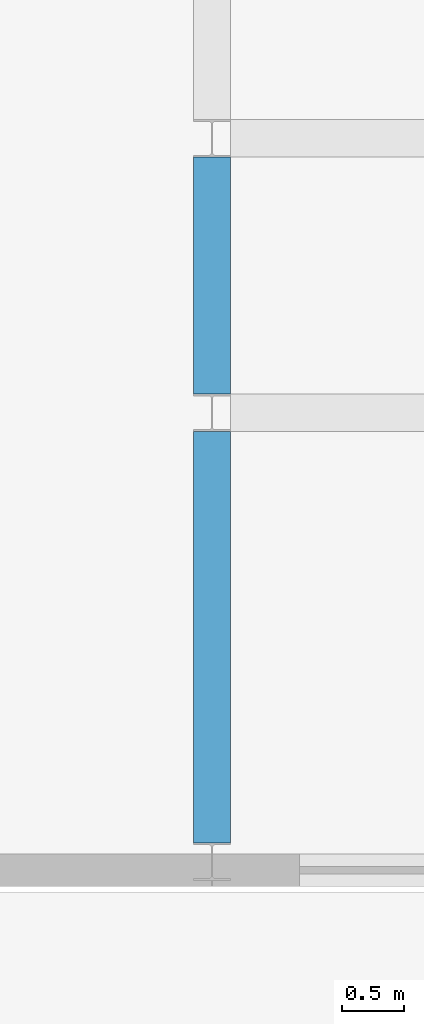
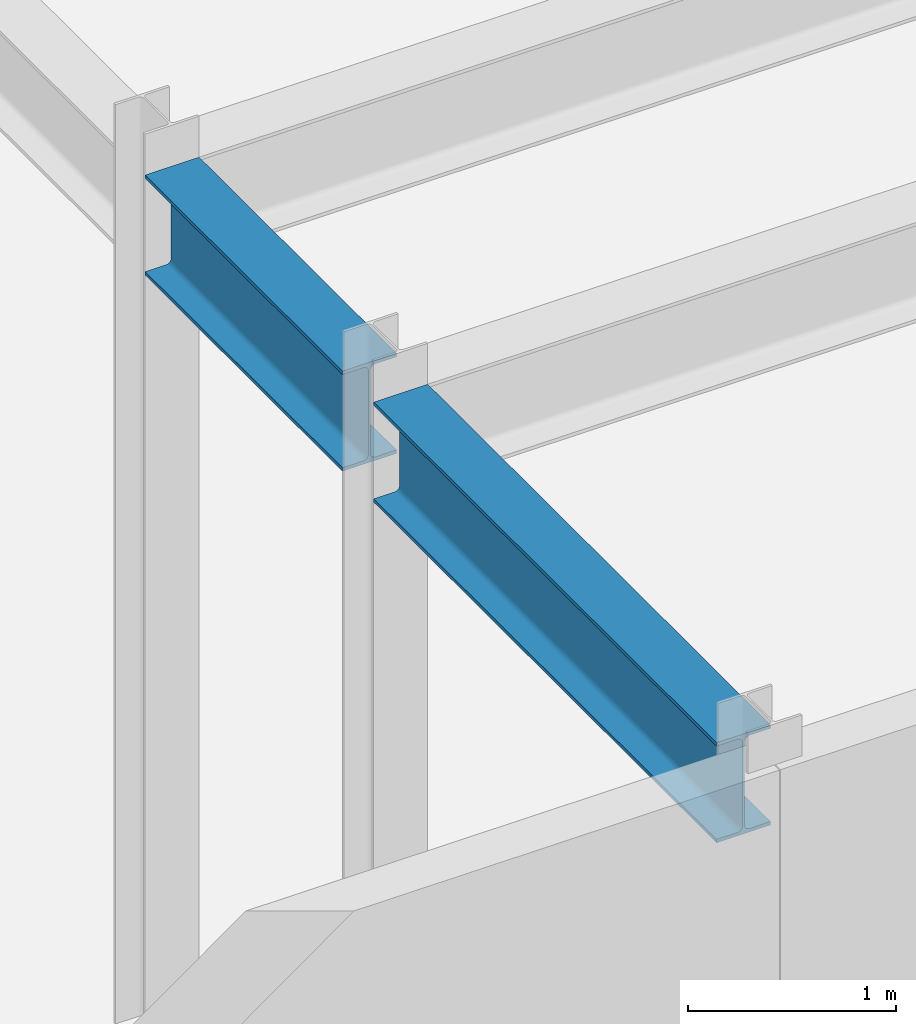
# One storey, part 5 of 37: 2 beams.
"""IFC4 building model written with IfcOpenShell, lengths in metres."""

from ifc_helpers import new_model, si_unit, direction, frame, origin, origin_2d, place, context, subcontext, project, spatial, i_section, extrude, material, material_profile, profile_set, type_object, element, save


model = new_model("IFC4")

# Units and contexts
model_context = context("Model", 3, precision=1e-05, world=origin(), true_north=direction((0.0, 1.0)))
body_context = subcontext(model_context, "Body", "Model", "MODEL_VIEW")
ifc_project = project(units=[si_unit("LENGTHUNIT", "METRE"), si_unit("AREAUNIT", "SQUARE_METRE"), si_unit("VOLUMEUNIT", "CUBIC_METRE"), si_unit("PLANEANGLEUNIT", "RADIAN"), si_unit("MASSUNIT", "GRAM", prefix="KILO")], contexts=[model_context])

# Site, building, storey
site_placement = place(None, origin())
site = spatial("IfcSite", under=ifc_project, at=site_placement, CompositionType="ELEMENT")
building_placement = place(site_placement, origin())
building = spatial("IfcBuilding", under=site, at=building_placement, Name="Haolan Belvedere Tower", CompositionType="ELEMENT")
storey_placement = place(building_placement, frame((0.0, 0.0, 10.199951171875)))
storey = spatial("IfcBuildingStorey", under=building, at=storey_placement, Name="L02", CompositionType="ELEMENT", Elevation=10.199951171875)

# Beams
ifc_material = material(Name="Steel Q355B", Category="steel")
ifc_material_profile = material_profile(ifc_material, i_section(OverallWidth=0.300048828125, OverallDepth=0.587890625, WebThickness=0.011962890625, FlangeThickness=0.02001953125, FilletRadius=0.028076171875, at=origin_2d()), Name="Steel Q355B")
ifc_profile_set = profile_set([ifc_material_profile], Name="Steel Q355B")
beam_type = type_object("IfcBeamType", Name="BM-HM588x300x12x20", PredefinedType="SPANDREL", material=ifc_profile_set)
beam_1_placement = place(storey_placement, frame((18.0, 7.550048828125, 4.865966796875), z_axis=(0.0, 1.0, 0.0), x_axis=(-1.0, 0.0, 0.0)))
element("IfcBeam", 1, at=beam_1_placement, inside=storey, type_object=beam_type, Name="L02 spandrel girder PC-SW-1-PC-CS2-W", PredefinedType="SPANDREL", context=body_context, shape_type="SweptSolid", body=[
    extrude(i_section(OverallWidth=0.300048828125, OverallDepth=0.587890625, WebThickness=0.011962890625, FlangeThickness=0.02001953125, FilletRadius=0.028076171875, at=origin_2d()), origin(), (0.0, 0.0, 1.0), 3.300048828125),
])
beam_2_placement = place(storey_placement, frame((18.0, 11.14990234375, 4.865966796875), z_axis=(0.0, 1.0, 0.0), x_axis=(-1.0, 0.0, 0.0)))
element("IfcBeam", 2, at=beam_2_placement, inside=storey, type_object=beam_type, Name="L02 spandrel girder PC-CS2-W-PC-CS3-W", PredefinedType="SPANDREL", context=body_context, shape_type="SweptSolid", body=[
    extrude(i_section(OverallWidth=0.300048828125, OverallDepth=0.587890625, WebThickness=0.011962890625, FlangeThickness=0.02001953125, FilletRadius=0.028076171875, at=origin_2d()), origin(), (0.0, 0.0, 1.0), 1.900146484375),
])

save(model, "model.ifc")
